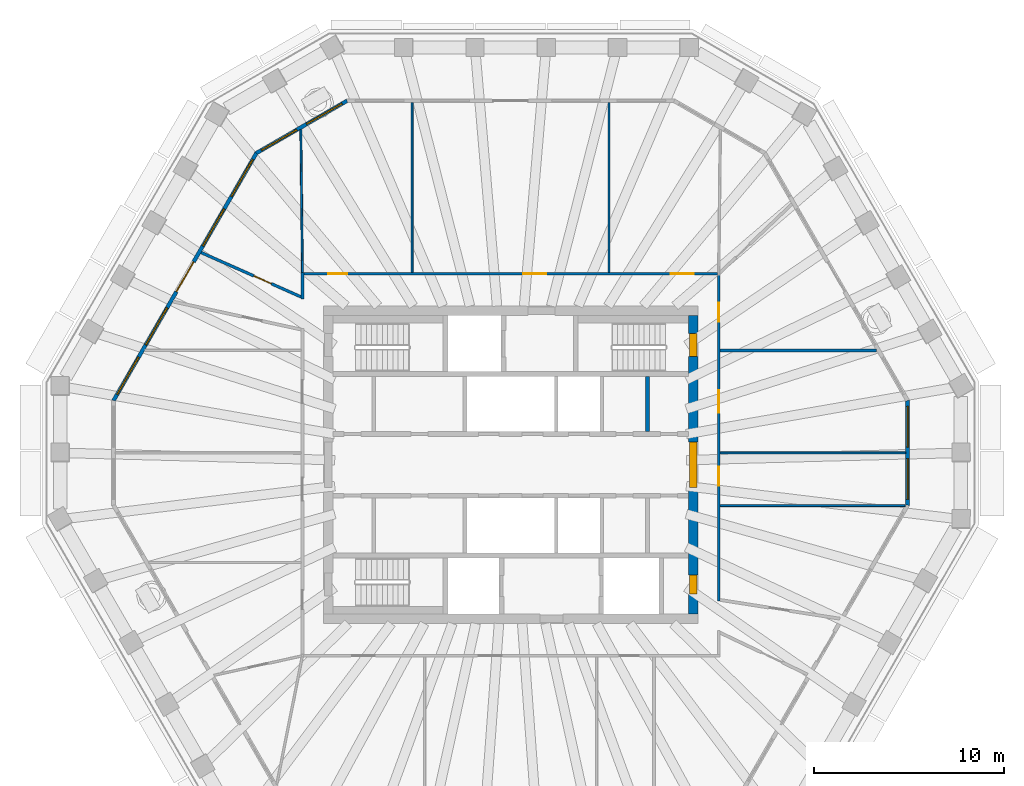
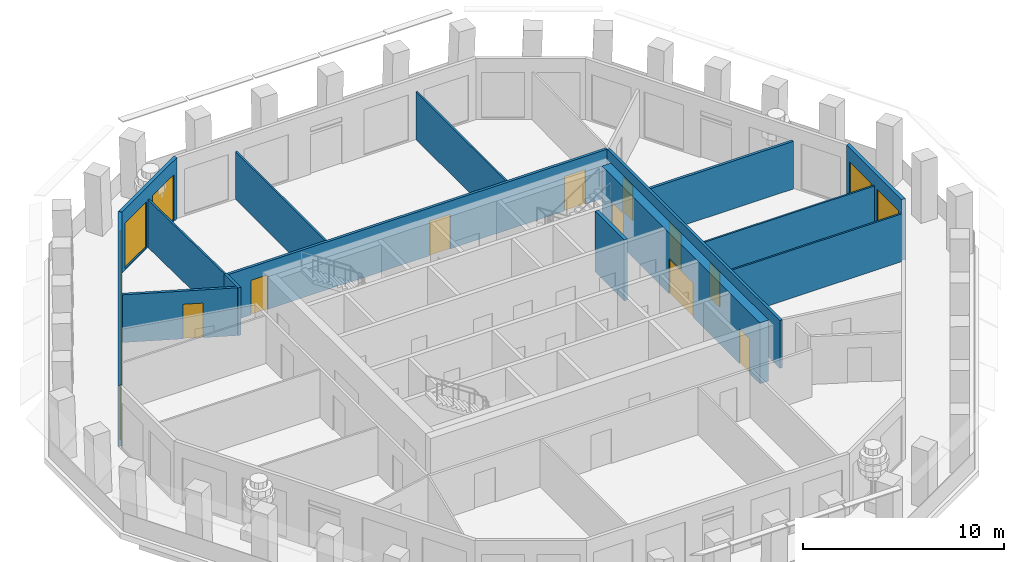
# One storey, part 6 of 11: 15 walls, 11 doors, 9 windows, 20 openings.
"""IFC4 building model written with IfcOpenShell, lengths in metres."""

import ifcopenshell
import ifcopenshell.guid

model = None  # the IFC model being written
_history = None  # IfcOwnerHistory: only IFC2X3 demands one
_inside = {}  # id of a spatial element -> (the spatial element, [elements in it])
_under = {}  # id of a project, library or spatial element -> (it, [spatial elements below it])
_declared = {}  # id of a project -> (the project, [libraries it declares])
_typed = {}  # id of a type object -> (the type object, [elements of that type])
_made_of = {}  # id of a material, layer set ... -> (it, [elements and type objects made of it])


def new_model(schema):
    """Start an empty IFC model of exactly this schema.

    Asked for "IFC4X3", IfcOpenShell would pick the latest addendum, in which some entities
    have other attributes; the version numbers below select the first issue.
    IFC2X3 requires an IfcOwnerHistory on every rooted entity: one is made here for all.
    """
    global model, _history
    if schema == "IFC4X3":
        model = ifcopenshell.file(schema_version=(4, 3, 0, 0))
    else:
        model = ifcopenshell.file(schema=schema)
    _inside.clear()
    _under.clear()
    _declared.clear()
    _typed.clear()
    _made_of.clear()
    _history = None
    if model.schema == "IFC2X3":
        org = make("IfcOrganization", Name="unknown")
        user = make(
            "IfcPersonAndOrganization",
            ThePerson=make("IfcPerson", FamilyName="unknown"),
            TheOrganization=org,
        )
        app = make(
            "IfcApplication",
            ApplicationDeveloper=org,
            Version="unknown",
            ApplicationFullName="unknown",
            ApplicationIdentifier="unknown",
        )
        _history = make(
            "IfcOwnerHistory",
            OwningUser=user,
            OwningApplication=app,
            ChangeAction="ADDED",
            CreationDate=0,
        )
    return model


def make(cls, **values):
    """One entity of the class cls with the attributes given. An attribute that is None is left unset."""
    return model.create_entity(
        cls, **{name: value for name, value in values.items() if value is not None}
    )


def rooted(cls, **values):
    """An entity with a GlobalId (a new one), such as an element, a storey or a relation."""
    return make(cls, GlobalId=ifcopenshell.guid.new(), OwnerHistory=_history, **values)


def si_unit(unit_type, name, prefix=None):
    """IfcSIUnit, for example si_unit("LENGTHUNIT", "METRE", prefix="MILLI")."""
    return make("IfcSIUnit", UnitType=unit_type, Prefix=prefix, Name=name)


def assignment(units):
    """IfcUnitAssignment: the units of a project."""
    return None if units is None else make("IfcUnitAssignment", Units=units)


def point(xyz):
    """IfcCartesianPoint."""
    return None if xyz is None else make("IfcCartesianPoint", Coordinates=xyz)


def direction(xyz):
    """IfcDirection."""
    return None if xyz is None else make("IfcDirection", DirectionRatios=xyz)


def frame(location, z_axis=None, x_axis=None):
    """IfcAxis2Placement3D, a coordinate frame: its origin and axes. An axis left out is left unset."""
    return make(
        "IfcAxis2Placement3D",
        Location=point(location),
        Axis=direction(z_axis),
        RefDirection=direction(x_axis),
    )


def frame_2d(location, x_axis=None):
    """IfcAxis2Placement2D, a coordinate frame in the plane: its origin and x axis."""
    return make(
        "IfcAxis2Placement2D", Location=point(location), RefDirection=direction(x_axis)
    )


def origin():
    """The frame at (0, 0, 0) with its axes left unset."""
    return frame((0.0, 0.0, 0.0))


def place(relative_to, where):
    """IfcLocalPlacement: puts the frame where relative to a parent placement (None: the world)."""
    return make(
        "IfcLocalPlacement", PlacementRelTo=relative_to, RelativePlacement=where
    )


def context(
    kind, dimensions, precision=None, world=None, true_north=None, identifier=None
):
    """IfcGeometricRepresentationContext, for example the 3D "Model" context."""
    return make(
        "IfcGeometricRepresentationContext",
        ContextIdentifier=identifier,
        ContextType=kind,
        CoordinateSpaceDimension=dimensions,
        Precision=precision,
        WorldCoordinateSystem=world,
        TrueNorth=true_north,
    )


def subcontext(parent, identifier, kind, view, scale=None):
    """IfcGeometricRepresentationSubContext, for example "Body" below "Model"."""
    return make(
        "IfcGeometricRepresentationSubContext",
        ContextIdentifier=identifier,
        ContextType=kind,
        ParentContext=parent,
        TargetScale=scale,
        TargetView=view,
    )


def project(units=None, contexts=None):
    """IfcProject with its units and contexts."""
    return rooted(
        "IfcProject",
        Name="project",
        RepresentationContexts=contexts,
        UnitsInContext=assignment(units),
    )


def spatial(cls, under=None, at=None, **own):
    """A site, building, storey or space (cls), placed at a placement, below another one or the project."""
    s = rooted(cls, ObjectPlacement=at, **own)
    if under is not None:
        _under.setdefault(under.id(), (under, []))[1].append(s)
    return s


def polyline(points):
    """IfcPolyline through the points."""
    return make("IfcPolyline", Points=[point(p) for p in points])


def profile(cls, at=None, kind="AREA", **sizes):
    """A parametric profile (cls). Its sizes go by their IFC names, for example OverallWidth=200.0."""
    return make(cls, ProfileType=kind, Position=at, **sizes)


def rectangle(**sizes):
    """IfcRectangleProfileDef."""
    return profile("IfcRectangleProfileDef", **sizes)


def outline(outer, holes=None, kind="AREA"):
    """IfcArbitraryClosedProfileDef: a profile drawn as a closed curve; with holes, ...WithVoids."""
    if holes is None:
        return make("IfcArbitraryClosedProfileDef", ProfileType=kind, OuterCurve=outer)
    return make(
        "IfcArbitraryProfileDefWithVoids",
        ProfileType=kind,
        OuterCurve=outer,
        InnerCurves=holes,
    )


def extrude(swept, where, along, depth):
    """IfcExtrudedAreaSolid: the profile swept, set in the frame where, extruded along a direction by depth."""
    return make(
        "IfcExtrudedAreaSolid",
        SweptArea=swept,
        Position=where,
        ExtrudedDirection=direction(along),
        Depth=depth,
    )


def shape(context_of_items, identifier, shape_type, items):
    """IfcShapeRepresentation: the items that make up one representation, for example the "Body"."""
    return make(
        "IfcShapeRepresentation",
        ContextOfItems=context_of_items,
        RepresentationIdentifier=identifier,
        RepresentationType=shape_type,
        Items=items,
    )


def material(Name=None, Category=None):
    """IfcMaterial."""
    return make("IfcMaterial", Name=Name, Category=Category)


def layer(
    of_material, thickness, ventilated=None, Name=None, Category=None, Priority=None
):
    """IfcMaterialLayer: one layer of a wall or slab, of a material (None: an air gap)."""
    return make(
        "IfcMaterialLayer",
        Material=of_material,
        LayerThickness=thickness,
        IsVentilated=ventilated,
        Name=Name,
        Category=Category,
        Priority=Priority,
    )


def layer_set(layers, Name=None):
    """IfcMaterialLayerSet."""
    return make("IfcMaterialLayerSet", MaterialLayers=layers, LayerSetName=Name)


def made_of(thing, what):
    """Note that an element or type object is made of a material, layer set ...; save() writes the relation."""
    if what is not None:
        _made_of.setdefault(what.id(), (what, []))[1].append(thing)
    return thing


def type_object(cls, material=None, **own):
    """A type object (cls), such as IfcWallType, which elements share."""
    return made_of(rooted(cls, **own), material)


def element(
    cls,
    number,
    at=None,
    inside=None,
    cuts=None,
    type_object=None,
    material=None,
    context=None,
    identifier="Body",
    shape_type=None,
    held_by="IfcProductDefinitionShape",
    body=None,
    shapes=None,
    **own,
):
    """One element of the class cls, such as IfcWall. Its Tag is "e" and its number.

    at: its placement. inside: the storey or other place that contains it. cuts: it is an
    opening in that element (IfcRelVoidsElement). A single representation is given by context,
    identifier, shape_type and body (its items); several are given by shapes. held_by: the class
    of the entity that holds the representations. save() writes the other relations.
    """
    e = rooted(cls, Tag="e%d" % number, ObjectPlacement=at, **own)
    if body is not None:
        shapes = [shape(context, identifier, shape_type, body)]
    if shapes is not None:
        e.Representation = make(held_by, Representations=shapes)
    if inside is not None:
        _inside.setdefault(inside.id(), (inside, []))[1].append(e)
    if cuts is not None:
        rooted(
            "IfcRelVoidsElement", RelatingBuildingElement=cuts, RelatedOpeningElement=e
        )
    if type_object is not None:
        _typed.setdefault(type_object.id(), (type_object, []))[1].append(e)
    return made_of(e, material)


def fill(opening, filler):
    """IfcRelFillsElement: the door or window that sits in an opening."""
    return rooted(
        "IfcRelFillsElement",
        RelatingOpeningElement=opening,
        RelatedBuildingElement=filler,
    )


def aggregate(whole, parts):
    """IfcRelAggregates: a whole, such as a stair, and the parts it consists of."""
    return rooted("IfcRelAggregates", RelatingObject=whole, RelatedObjects=parts)


def save(model, path):
    """Write the relations noted so far, then the file.

    IfcRelAggregates (storeys below a building ...), IfcRelContainedInSpatialStructure (elements
    in a storey), IfcRelDefinesByType, IfcRelAssociatesMaterial and IfcRelDeclares: one each for
    every whole, place, type object, material and project.
    """
    for whole, parts in _under.values():
        aggregate(whole, parts)
    for where, things in _inside.values():
        rooted(
            "IfcRelContainedInSpatialStructure",
            RelatedElements=things,
            RelatingStructure=where,
        )
    for kind, things in _typed.values():
        rooted("IfcRelDefinesByType", RelatedObjects=things, RelatingType=kind)
    for what, things in _made_of.values():
        rooted("IfcRelAssociatesMaterial", RelatedObjects=things, RelatingMaterial=what)
    for by, libraries in _declared.values():
        rooted("IfcRelDeclares", RelatingContext=by, RelatedDefinitions=libraries)
    model.write(path)


model = new_model("IFC4")

# Units and contexts
model_context = context("Model", 3, precision=1e-05, world=origin(), true_north=direction((0.0, 1.0)))
body_context = subcontext(model_context, "Body", "Model", "MODEL_VIEW")
ifc_project = project(units=[si_unit("LENGTHUNIT", "METRE"), si_unit("AREAUNIT", "SQUARE_METRE"), si_unit("VOLUMEUNIT", "CUBIC_METRE"), si_unit("PLANEANGLEUNIT", "RADIAN"), si_unit("MASSUNIT", "GRAM", prefix="KILO")], contexts=[model_context])

# Site, building, storey
site_placement = place(None, origin())
site = spatial("IfcSite", under=ifc_project, at=site_placement, CompositionType="ELEMENT")
building_placement = place(site_placement, origin())
building = spatial("IfcBuilding", under=site, at=building_placement, Name="Frailejon Research Tower", CompositionType="ELEMENT")
storey_placement = place(building_placement, frame((0.0, 0.0, 283.0)))
storey = spatial("IfcBuildingStorey", under=building, at=storey_placement, Name="L62", CompositionType="ELEMENT", Elevation=283.0)

# Wall, openings, doors
ifc_material_1 = material(Name="Concrete C50/60", Category="concrete")
ifc_layer_1 = layer(ifc_material_1, 0.5)
ifc_layer_set_1 = layer_set([ifc_layer_1], Name="Core shear wall 500 C50/60")
wall_type_1 = type_object("IfcWallType", Name="Core shear wall 500 C50/60", PredefinedType="SHEAR", material=ifc_layer_set_1)
wall_1_placement = place(storey_placement, frame((9.60009765625, -7.85009765625, 0.0), z_axis=(0.0, 0.0, 1.0), x_axis=(0.0, 1.0, 0.0)))
wall_1 = element("IfcWall", 1, at=wall_1_placement, inside=storey, type_object=wall_type_1, Name="Core shear wall", PredefinedType="SHEAR", context=body_context, shape_type="SweptSolid", body=[
    extrude(rectangle(XDim=15.7001953125, YDim=0.5, at=frame_2d((7.85009765625, 0.0))), origin(), (0.0, 0.0, 1.0), 3.699951171875),
])
opening_1_placement = place(wall_1_placement, frame((6.64990234375, 0.0, 0.0)))
opening_1 = element("IfcOpeningElement", 2, at=opening_1_placement, cuts=wall_1, Name="Opening D2", PredefinedType="OPENING", context=body_context, shape_type="SweptSolid", body=[
    extrude(rectangle(XDim=2.39990234375, YDim=2.10009765625, at=frame_2d((1.199951171875, 1.050048828125))), frame((0.0, 0.260009765625, 0.0), z_axis=(0.0, -1.0, 0.0), x_axis=(1.0, 0.0, 0.0)), (0.0, 0.0, 1.0), 0.52001953125),
])
opening_2_placement = place(wall_1_placement, frame((13.550048828125, 0.0, 0.0)))
opening_2 = element("IfcOpeningElement", 3, at=opening_2_placement, cuts=wall_1, Name="Opening D1", PredefinedType="OPENING", context=body_context, shape_type="SweptSolid", body=[
    extrude(rectangle(XDim=1.199951171875, YDim=2.10009765625, at=frame_2d((0.60009765625, 1.050048828125))), frame((0.0, 0.260009765625, 0.0), z_axis=(0.0, -1.0, 0.0), x_axis=(1.0, 0.0, 0.0)), (0.0, 0.0, 1.0), 0.52001953125),
])
opening_3_placement = place(wall_1_placement, frame((1.050048828125, 0.0, 0.0)))
opening_3 = element("IfcOpeningElement", 4, at=opening_3_placement, cuts=wall_1, Name="Opening D4", PredefinedType="OPENING", context=body_context, shape_type="SweptSolid", body=[
    extrude(rectangle(XDim=1.0, YDim=2.10009765625, at=frame_2d((0.5, 1.050048828125))), frame((0.0, 0.260009765625, 0.0), z_axis=(0.0, -1.0, 0.0), x_axis=(1.0, 0.0, 0.0)), (0.0, 0.0, 1.0), 0.52001953125),
])
ifc_material_2 = material(Name="Steel", Category="steel")
door_type_1 = type_object("IfcDoorType", Name="Lobby double door", OperationType="DOUBLE_DOOR_SINGLE_SWING", PredefinedType="DOOR", material=ifc_material_2)
door_1_placement = place(opening_1_placement, origin())
door_1 = element("IfcDoor", 5, at=door_1_placement, inside=storey, type_object=door_type_1, Name="Lobby door", OperationType="DOUBLE_DOOR_SINGLE_SWING", OverallHeight=2.10009765625, OverallWidth=2.39990234375, PredefinedType="DOOR", context=body_context, shape_type="SweptSolid", body=[
    extrude(rectangle(XDim=2.39990234375, YDim=2.10009765625, at=frame_2d((1.199951171875, 1.050048828125))), frame((0.0, 0.199951171875, 0.0), z_axis=(0.0, -1.0, 0.0), x_axis=(1.0, 0.0, 0.0)), (0.0, 0.0, 1.0), 0.39990234375),
])
fill(opening_1, door_1)
ifc_material_3 = material(Name="Steel", Category="steel")
door_type_2 = type_object("IfcDoorType", Name="Service door", OperationType="SINGLE_SWING_LEFT", PredefinedType="DOOR", material=ifc_material_3)
door_2_placement = place(opening_3_placement, origin())
door_2 = element("IfcDoor", 6, at=door_2_placement, inside=storey, type_object=door_type_2, Name="Riser door", OperationType="SINGLE_SWING_LEFT", OverallHeight=2.10009765625, OverallWidth=1.0, PredefinedType="DOOR", context=body_context, shape_type="SweptSolid", body=[
    extrude(rectangle(XDim=1.0, YDim=2.10009765625, at=frame_2d((0.5, 1.050048828125))), frame((0.0, 0.199951171875, 0.0), z_axis=(0.0, -1.0, 0.0), x_axis=(1.0, 0.0, 0.0)), (0.0, 0.0, 1.0), 0.39990234375),
])
fill(opening_3, door_2)
ifc_material_4 = material(Name="Steel", Category="steel")
door_type_3 = type_object("IfcDoorType", Name="Stair door", OperationType="SINGLE_SWING_LEFT", PredefinedType="DOOR", material=ifc_material_4)
door_3_placement = place(opening_2_placement, origin())
door_3 = element("IfcDoor", 7, at=door_3_placement, inside=storey, type_object=door_type_3, Name="Stair door ST3", OperationType="SINGLE_SWING_RIGHT", OverallHeight=2.10009765625, OverallWidth=1.199951171875, PredefinedType="DOOR", context=body_context, shape_type="SweptSolid", body=[
    extrude(rectangle(XDim=1.199951171875, YDim=2.10009765625, at=frame_2d((0.60009765625, 1.050048828125))), frame((0.0, 0.199951171875, 0.0), z_axis=(0.0, -1.0, 0.0), x_axis=(1.0, 0.0, 0.0)), (0.0, 0.0, 1.0), 0.39990234375),
])
fill(opening_2, door_3)

# Wall, opening, door
ifc_material_5 = material(Name="Gypsum board and masonry partition", Category="masonry")
ifc_layer_2 = layer(ifc_material_5, 0.14990234375)
ifc_layer_set_2 = layer_set([ifc_layer_2], Name="Corridor wall EI 60, gypsum on steel studs 150")
wall_type_2 = type_object("IfcWallType", Name="Corridor wall EI 60, gypsum on steel studs 150", PredefinedType="PARTITIONING", material=ifc_layer_set_2)
wall_2_placement = place(storey_placement, frame((-16.277099609375, 11.1640625, 0.0), z_axis=(0.0, 0.0, 1.0), x_axis=(0.914030158625, -0.405646236422, 0.0)))
wall_2 = element("IfcWall", 8, at=wall_2_placement, inside=storey, type_object=wall_type_2, Name="T:IW:L62:001", PredefinedType="PARTITIONING", context=body_context, shape_type="SweptSolid", body=[
    extrude(rectangle(XDim=5.753173828125, YDim=0.14990234375, at=frame_2d((2.87646484375, 0.0))), origin(), (0.0, 0.0, 1.0), 2.89990234375),
])
opening_4_placement = place(wall_2_placement, frame((3.033203125, 0.0, 0.0)))
opening_4 = element("IfcOpeningElement", 9, at=opening_4_placement, cuts=wall_2, Name="Opening D2193", PredefinedType="OPENING", context=body_context, shape_type="SweptSolid", body=[
    extrude(rectangle(XDim=1.0, YDim=2.10009765625, at=frame_2d((0.5, 1.050048828125))), frame((0.0, 0.0849609375, 0.0), z_axis=(0.0, -1.0, 0.0), x_axis=(1.0, 0.0, 0.0)), (0.0, 0.0, 1.0), 0.169921875),
])
ifc_material_6 = material(Name="Timber door leaf", Category="wood")
door_type_4 = type_object("IfcDoorType", Name="Door single leaf, timber, steel frame 1000", OperationType="NOTDEFINED", PredefinedType="DOOR", material=ifc_material_6)
door_4_placement = place(opening_4_placement, origin())
door_4 = element("IfcDoor", 10, at=door_4_placement, inside=storey, type_object=door_type_4, Name="D2193", OperationType="SINGLE_SWING_RIGHT", OverallHeight=2.10009765625, OverallWidth=1.0, PredefinedType="DOOR", context=body_context, shape_type="SweptSolid", body=[
    extrude(rectangle(XDim=1.0, YDim=2.10009765625, at=frame_2d((0.5, 1.050048828125))), frame((0.0, 0.02490234375, 0.0), z_axis=(0.0, -1.0, 0.0), x_axis=(1.0, 0.0, 0.0)), (0.0, 0.0, 1.0), 0.050048828125),
])
fill(opening_4, door_4)

# Wall, openings, doors
wall_3_placement = place(storey_placement, frame((10.949951171875, -7.175048828125, 0.0), z_axis=(0.0, 0.0, 1.0), x_axis=(0.0, 1.0, 0.0)))
wall_3 = element("IfcWall", 11, at=wall_3_placement, inside=storey, type_object=wall_type_2, Name="T:IW:L62:006", PredefinedType="PARTITIONING", context=body_context, shape_type="SweptSolid", body=[
    extrude(rectangle(XDim=17.150146484375, YDim=0.14990234375, at=frame_2d((8.5751953125, 0.0))), origin(), (0.0, 0.0, 1.0), 2.89990234375),
])
opening_5_placement = place(wall_3_placement, frame((9.899169921875, 0.0, 0.0)))
opening_5 = element("IfcOpeningElement", 12, at=opening_5_placement, cuts=wall_3, Name="Opening D2187", PredefinedType="OPENING", context=body_context, shape_type="SweptSolid", body=[
    extrude(rectangle(XDim=1.199951171875, YDim=2.10009765625, at=frame_2d((0.60009765625, 1.050048828125))), frame((0.0, 0.0849609375, 0.0), z_axis=(0.0, -1.0, 0.0), x_axis=(1.0, 0.0, 0.0)), (0.0, 0.0, 1.0), 0.169921875),
])
opening_6_placement = place(wall_3_placement, frame((14.7099609375, 0.0, 0.0)))
opening_6 = element("IfcOpeningElement", 13, at=opening_6_placement, cuts=wall_3, Name="Opening D2188", PredefinedType="OPENING", context=body_context, shape_type="SweptSolid", body=[
    extrude(rectangle(XDim=1.0, YDim=2.10009765625, at=frame_2d((0.5, 1.050048828125))), frame((0.0, 0.0849609375, 0.0), z_axis=(0.0, -1.0, 0.0), x_axis=(1.0, 0.0, 0.0)), (0.0, 0.0, 1.0), 0.169921875),
])
opening_7_placement = place(wall_3_placement, frame((6.076171875, 0.0, 0.0)))
opening_7 = element("IfcOpeningElement", 14, at=opening_7_placement, cuts=wall_3, Name="Opening D2204", PredefinedType="OPENING", context=body_context, shape_type="SweptSolid", body=[
    extrude(rectangle(XDim=1.0, YDim=2.10009765625, at=frame_2d((0.5, 1.050048828125))), frame((0.0, 0.0849609375, 0.0), z_axis=(0.0, -1.0, 0.0), x_axis=(1.0, 0.0, 0.0)), (0.0, 0.0, 1.0), 0.169921875),
])
ifc_material_7 = material(Name="Timber door leaf", Category="wood")
door_type_5 = type_object("IfcDoorType", Name="Door laboratory, timber, vision panel 1000", OperationType="NOTDEFINED", PredefinedType="DOOR", material=ifc_material_7)
door_5_placement = place(opening_6_placement, origin())
door_5 = element("IfcDoor", 15, at=door_5_placement, inside=storey, type_object=door_type_5, Name="D2188", OperationType="SINGLE_SWING_LEFT", OverallHeight=2.10009765625, OverallWidth=1.0, PredefinedType="DOOR", context=body_context, shape_type="SweptSolid", body=[
    extrude(rectangle(XDim=1.0, YDim=2.10009765625, at=frame_2d((0.5, 1.050048828125))), frame((0.0, 0.02490234375, 0.0), z_axis=(0.0, -1.0, 0.0), x_axis=(1.0, 0.0, 0.0)), (0.0, 0.0, 1.0), 0.050048828125),
])
fill(opening_6, door_5)
door_6_placement = place(opening_7_placement, origin())
door_6 = element("IfcDoor", 16, at=door_6_placement, inside=storey, type_object=door_type_4, Name="D2204", OperationType="SINGLE_SWING_RIGHT", OverallHeight=2.10009765625, OverallWidth=1.0, PredefinedType="DOOR", context=body_context, shape_type="SweptSolid", body=[
    extrude(rectangle(XDim=1.0, YDim=2.10009765625, at=frame_2d((0.5, 1.050048828125))), frame((0.0, 0.02490234375, 0.0), z_axis=(0.0, -1.0, 0.0), x_axis=(1.0, 0.0, 0.0)), (0.0, 0.0, 1.0), 0.050048828125),
])
fill(opening_7, door_6)
ifc_material_8 = material(Name="Timber door leaf", Category="wood")
door_type_6 = type_object("IfcDoorType", Name="Door single leaf, timber, steel frame 1200", OperationType="NOTDEFINED", PredefinedType="DOOR", material=ifc_material_8)
door_7_placement = place(opening_5_placement, origin())
door_7 = element("IfcDoor", 17, at=door_7_placement, inside=storey, type_object=door_type_6, Name="D2187", OperationType="DOUBLE_DOOR_SINGLE_SWING", OverallHeight=2.10009765625, OverallWidth=1.199951171875, PredefinedType="DOOR", context=body_context, shape_type="SweptSolid", body=[
    extrude(rectangle(XDim=1.199951171875, YDim=2.10009765625, at=frame_2d((0.60009765625, 1.050048828125))), frame((0.0, 0.02490234375, 0.0), z_axis=(0.0, -1.0, 0.0), x_axis=(1.0, 0.0, 0.0)), (0.0, 0.0, 1.0), 0.050048828125),
])
fill(opening_5, door_7)

wall_4_placement = place(storey_placement, frame((-10.875, 10.050048828125, 0.0), z_axis=(0.0, 0.0, 1.0), x_axis=(1.0, 0.0, 0.0)))
wall_4 = element("IfcWall", 18, at=wall_4_placement, inside=storey, type_object=wall_type_2, Name="T:IW:L62:007", PredefinedType="PARTITIONING", context=body_context, shape_type="SweptSolid", body=[
    extrude(rectangle(XDim=21.75, YDim=0.14990234375, at=frame_2d((10.875, 0.0))), origin(), (0.0, 0.0, 1.0), 2.89990234375),
])
opening_8_placement = place(wall_4_placement, frame((19.30712890625, 0.0, 0.0)))
opening_8 = element("IfcOpeningElement", 19, at=opening_8_placement, cuts=wall_4, Name="Opening D2190", PredefinedType="OPENING", context=body_context, shape_type="SweptSolid", body=[
    extrude(rectangle(XDim=1.199951171875, YDim=2.10009765625, at=frame_2d((0.60009765625, 1.050048828125))), frame((0.0, 0.0849609375, 0.0), z_axis=(0.0, -1.0, 0.0), x_axis=(1.0, 0.0, 0.0)), (0.0, 0.0, 1.0), 0.169921875),
])
opening_9_placement = place(wall_4_placement, frame((11.543701171875, 0.0, 0.0)))
opening_9 = element("IfcOpeningElement", 20, at=opening_9_placement, cuts=wall_4, Name="Opening D2191", PredefinedType="OPENING", context=body_context, shape_type="SweptSolid", body=[
    extrude(rectangle(XDim=1.199951171875, YDim=2.10009765625, at=frame_2d((0.60009765625, 1.050048828125))), frame((0.0, 0.0849609375, 0.0), z_axis=(0.0, -1.0, 0.0), x_axis=(1.0, 0.0, 0.0)), (0.0, 0.0, 1.0), 0.169921875),
])
opening_10_placement = place(wall_4_placement, frame((1.292724609375, 0.0, 0.0)))
opening_10 = element("IfcOpeningElement", 21, at=opening_10_placement, cuts=wall_4, Name="Opening D2192", PredefinedType="OPENING", context=body_context, shape_type="SweptSolid", body=[
    extrude(rectangle(XDim=1.0, YDim=2.10009765625, at=frame_2d((0.5, 1.050048828125))), frame((0.0, 0.0849609375, 0.0), z_axis=(0.0, -1.0, 0.0), x_axis=(1.0, 0.0, 0.0)), (0.0, 0.0, 1.0), 0.169921875),
])
door_8_placement = place(opening_10_placement, origin())
door_8 = element("IfcDoor", 22, at=door_8_placement, inside=storey, type_object=door_type_4, Name="D2192", OperationType="SINGLE_SWING_LEFT", OverallHeight=2.10009765625, OverallWidth=1.0, PredefinedType="DOOR", context=body_context, shape_type="SweptSolid", body=[
    extrude(rectangle(XDim=1.0, YDim=2.10009765625, at=frame_2d((0.5, 1.050048828125))), frame((0.0, 0.02490234375, 0.0), z_axis=(0.0, -1.0, 0.0), x_axis=(1.0, 0.0, 0.0)), (0.0, 0.0, 1.0), 0.050048828125),
])
fill(opening_10, door_8)
door_9_placement = place(opening_8_placement, origin())
door_9 = element("IfcDoor", 23, at=door_9_placement, inside=storey, type_object=door_type_6, Name="D2190", OperationType="DOUBLE_DOOR_SINGLE_SWING", OverallHeight=2.10009765625, OverallWidth=1.199951171875, PredefinedType="DOOR", context=body_context, shape_type="SweptSolid", body=[
    extrude(rectangle(XDim=1.199951171875, YDim=2.10009765625, at=frame_2d((0.60009765625, 1.050048828125))), frame((0.0, 0.02490234375, 0.0), z_axis=(0.0, -1.0, 0.0), x_axis=(1.0, 0.0, 0.0)), (0.0, 0.0, 1.0), 0.050048828125),
])
fill(opening_8, door_9)
door_10_placement = place(opening_9_placement, origin())
door_10 = element("IfcDoor", 24, at=door_10_placement, inside=storey, type_object=door_type_6, Name="D2191", OperationType="DOUBLE_DOOR_SINGLE_SWING", OverallHeight=2.10009765625, OverallWidth=1.199951171875, PredefinedType="DOOR", context=body_context, shape_type="SweptSolid", body=[
    extrude(rectangle(XDim=1.199951171875, YDim=2.10009765625, at=frame_2d((0.60009765625, 1.050048828125))), frame((0.0, 0.02490234375, 0.0), z_axis=(0.0, -1.0, 0.0), x_axis=(1.0, 0.0, 0.0)), (0.0, 0.0, 1.0), 0.050048828125),
])
fill(opening_9, door_10)

# Walls
wall_5_placement = place(storey_placement, frame((-10.949951171875, 8.72509765625, 0.0), z_axis=(0.0, 0.0, 1.0), x_axis=(0.0, 1.0, 0.0)))
element("IfcWall", 25, at=wall_5_placement, inside=storey, type_object=wall_type_2, Name="T:IW:L62:009", PredefinedType="PARTITIONING", context=body_context, shape_type="SweptSolid", body=[
    extrude(rectangle(XDim=1.39990234375, YDim=0.14990234375, at=frame_2d((0.699951171875, 0.0))), origin(), (0.0, 0.0, 1.0), 2.89990234375),
])
ifc_material_9 = material(Name="Gypsum board and masonry partition", Category="masonry")
ifc_layer_3 = layer(ifc_material_9, 0.14990234375)
ifc_layer_set_3 = layer_set([ifc_layer_3], Name="Laboratory partition, blockwork 150")
wall_type_3 = type_object("IfcWallType", Name="Laboratory partition, blockwork 150", PredefinedType="PARTITIONING", material=ifc_layer_set_3)
wall_6_placement = place(storey_placement, frame((11.02490234375, 6.02001953125, 0.0), z_axis=(0.0, 0.0, 1.0), x_axis=(1.0, 0.0, 0.0)))
element("IfcWall", 26, at=wall_6_placement, inside=storey, type_object=wall_type_3, Name="T:IW:L62:011", PredefinedType="PARTITIONING", context=body_context, shape_type="SweptSolid", body=[
    extrude(rectangle(XDim=8.222412109375, YDim=0.14990234375, at=frame_2d((4.111328125, 0.0))), origin(), (0.0, 0.0, 1.0), 2.89990234375),
])
ifc_material_10 = material(Name="Gypsum board and masonry partition", Category="masonry")
ifc_layer_4 = layer(ifc_material_10, 0.10009765625)
ifc_layer_set_4 = layer_set([ifc_layer_4], Name="Partition, gypsum on steel studs 100")
wall_type_4 = type_object("IfcWallType", Name="Partition, gypsum on steel studs 100", PredefinedType="PARTITIONING", material=ifc_layer_set_4)
wall_7_placement = place(storey_placement, frame((11.02490234375, 0.62841796875, 0.0), z_axis=(0.0, 0.0, 1.0), x_axis=(1.0, 0.0, 0.0)))
element("IfcWall", 27, at=wall_7_placement, inside=storey, type_object=wall_type_4, Name="T:IW:L62:015", PredefinedType="PARTITIONING", context=body_context, shape_type="SweptSolid", body=[
    extrude(rectangle(XDim=9.76171875, YDim=0.10009765625, at=frame_2d((4.880859375, 0.0))), origin(), (0.0, 0.0, 1.0), 2.89990234375),
])
for number, where, z_axis, x_axis, name in (
    (28, (5.178955078125, 10.125, 0.0), (0.0, 0.0, 1.0), (0.0, 1.0, 0.0), "T:IW:L62:017"),
    (29, (-5.178955078125, 10.125, 0.0), (0.0, 0.0, 1.0), (0.0, 1.0, 0.0), "T:IW:L62:018"),
):
    element("IfcWall", number, at=place(storey_placement, frame(where, z_axis=z_axis, x_axis=x_axis)), inside=storey, type_object=wall_type_4, Name=name, PredefinedType="PARTITIONING", context=body_context, shape_type="SweptSolid", body=[
        extrude(rectangle(XDim=8.925048828125, YDim=0.10009765625, at=frame_2d((4.46240234375, 0.0))), origin(), (0.0, 0.0, 1.0), 2.89990234375),
    ])
wall_8_placement = place(storey_placement, frame((-11.03515625, 17.63134765625, 0.0), z_axis=(0.0, 0.0, 1.0), x_axis=(0.011223782781, -0.999937011366, 0.0)))
element("IfcWall", 30, at=wall_8_placement, inside=storey, type_object=wall_type_4, Name="T:IW:L62:019", PredefinedType="PARTITIONING", context=body_context, shape_type="SweptSolid", body=[
    extrude(rectangle(XDim=7.65673828125, YDim=0.10009765625, at=frame_2d((3.828369140625, 0.0))), origin(), (0.0, 0.0, 1.0), 2.89990234375),
])
wall_9_placement = place(storey_placement, frame((11.02490234375, -2.14990234375, 0.0), z_axis=(0.0, 0.0, 1.0), x_axis=(1.0, 0.0, 0.0)))
element("IfcWall", 31, at=wall_9_placement, inside=storey, type_object=wall_type_4, Name="T:IW:L62:026", PredefinedType="PARTITIONING", context=body_context, shape_type="SweptSolid", body=[
    extrude(rectangle(XDim=9.73095703125, YDim=0.10009765625, at=frame_2d((4.865478515625, 0.0))), origin(), (0.0, 0.0, 1.0), 2.89990234375),
])
ifc_material_11 = material(Name="Concrete C50/60", Category="concrete")
ifc_layer_5 = layer(ifc_material_11, 0.199951171875)
ifc_layer_set_5 = layer_set([ifc_layer_5], Name="Shaft wall 200 C50/60")
wall_type_5 = type_object("IfcWallType", Name="Shaft wall 200 C50/60", PredefinedType="SOLIDWALL", material=ifc_layer_set_5)
wall_10_placement = place(storey_placement, frame((7.199951171875, 1.75, 0.0), z_axis=(0.0, 0.0, 1.0), x_axis=(0.0, 1.0, 0.0)))
element("IfcWall", 32, at=wall_10_placement, inside=storey, type_object=wall_type_5, Name="Shaft wall", PredefinedType="SOLIDWALL", context=body_context, shape_type="SweptSolid", body=[
    extrude(rectangle(XDim=2.89990234375, YDim=0.199951171875, at=frame_2d((1.449951171875, 0.0))), origin(), (0.0, 0.0, 1.0), 3.699951171875),
])

# Wall, openings, windows
ifc_material_12 = material(Name="Concrete C40/50 precast window wall panel", Category="concrete")
ifc_layer_6 = layer(ifc_material_12, 0.199951171875)
ifc_layer_set_6 = layer_set([ifc_layer_6], Name="Window wall 200")
wall_type_6 = type_object("IfcWallType", Name="Window wall 200", PredefinedType="SOLIDWALL", material=ifc_layer_set_6)
wall_11_placement = place(storey_placement, frame((20.88671875, -2.123291015625, 0.0), z_axis=(0.0, 0.0, 1.0), x_axis=(0.0, 1.0, 0.0)))
wall_11 = element("IfcWall", 33, at=wall_11_placement, inside=storey, type_object=wall_type_6, Name="Exterior wall L62", PredefinedType="SOLIDWALL", context=body_context, shape_type="SweptSolid", body=[
    extrude(outline(polyline([(-0.02685546875, -0.10009765625), (1.08447265625, -0.10009765625), (2.196044921875, -0.10009765625), (3.307373046875, -0.10009765625), (4.4189453125, -0.10009765625), (5.5302734375, -0.10009765625), (5.4765625, 0.10009765625), (4.38671875, 0.10009765625), (3.296630859375, 0.10009765625), (2.206787109375, 0.10009765625), (1.11669921875, 0.10009765625), (0.02685546875, 0.10009765625), (-0.02685546875, -0.10009765625)])), origin(), (0.0, 0.0, 1.0), 3.699951171875),
])
opening_11_placement = place(wall_11_placement, frame((0.30078125, 0.0, 0.10009765625)))
opening_11 = element("IfcOpeningElement", 34, at=opening_11_placement, cuts=wall_11, Name="Opening W22", PredefinedType="OPENING", context=body_context, shape_type="SweptSolid", body=[
    extrude(rectangle(XDim=2.14990234375, YDim=2.75, at=frame_2d((1.074951171875, 1.375))), frame((0.0, 0.10986328125, 0.0), z_axis=(0.0, -1.0, 0.0), x_axis=(1.0, 0.0, 0.0)), (0.0, 0.0, 1.0), 0.219970703125),
])
opening_12_placement = place(wall_11_placement, frame((3.052490234375, 0.0, 0.10009765625)))
opening_12 = element("IfcOpeningElement", 35, at=opening_12_placement, cuts=wall_11, Name="Opening W22", PredefinedType="OPENING", context=body_context, shape_type="SweptSolid", body=[
    extrude(rectangle(XDim=2.14990234375, YDim=2.75, at=frame_2d((1.074951171875, 1.375))), frame((0.0, 0.10986328125, 0.0), z_axis=(0.0, -1.0, 0.0), x_axis=(1.0, 0.0, 0.0)), (0.0, 0.0, 1.0), 0.219970703125),
])
ifc_material_13 = material(Name="Aluminium framed double glazing", Category="aluminium")
window_type_1 = type_object("IfcWindowType", Name="Window 2150x2750", PartitioningType="SINGLE_PANEL", PredefinedType="WINDOW", material=ifc_material_13)
window_1_placement = place(opening_11_placement, origin())
window_1 = element("IfcWindow", 36, at=window_1_placement, inside=storey, type_object=window_type_1, Name="Window L62", OverallHeight=2.75, OverallWidth=2.14990234375, PartitioningType="SINGLE_PANEL", PredefinedType="WINDOW", context=body_context, shape_type="SweptSolid", body=[
    extrude(rectangle(XDim=2.14990234375, YDim=2.75, at=frame_2d((1.074951171875, 1.375))), frame((0.0, 0.030029296875, 0.0), z_axis=(0.0, -1.0, 0.0), x_axis=(1.0, 0.0, 0.0)), (0.0, 0.0, 1.0), 0.06005859375),
])
fill(opening_11, window_1)
window_2_placement = place(opening_12_placement, origin())
window_2 = element("IfcWindow", 37, at=window_2_placement, inside=storey, type_object=window_type_1, Name="Window L62", OverallHeight=2.75, OverallWidth=2.14990234375, PartitioningType="SINGLE_PANEL", PredefinedType="WINDOW", context=body_context, shape_type="SweptSolid", body=[
    extrude(rectangle(XDim=2.14990234375, YDim=2.75, at=frame_2d((1.074951171875, 1.375))), frame((0.0, 0.030029296875, 0.0), z_axis=(0.0, -1.0, 0.0), x_axis=(1.0, 0.0, 0.0)), (0.0, 0.0, 1.0), 0.06005859375),
])
fill(opening_12, window_2)

wall_12_placement = place(storey_placement, frame((-8.6044921875, 19.14990234375, 0.0), z_axis=(0.0, 0.0, 1.0), x_axis=(-0.866026017613, -0.499998936816, 0.0)))
wall_12 = element("IfcWall", 38, at=wall_12_placement, inside=storey, type_object=wall_type_6, Name="Exterior wall L62", PredefinedType="SOLIDWALL", context=body_context, shape_type="SweptSolid", body=[
    extrude(outline(polyline([(-0.02685546875, -0.10009765625), (1.08447265625, -0.10009765625), (2.196044921875, -0.10009765625), (3.307373046875, -0.10009765625), (4.4189453125, -0.10009765625), (5.5302734375, -0.10009765625), (5.4765625, 0.10009765625), (4.38671875, 0.10009765625), (3.296630859375, 0.10009765625), (2.206787109375, 0.10009765625), (1.11669921875, 0.10009765625), (0.02685546875, 0.10009765625), (-0.02685546875, -0.10009765625)])), origin(), (0.0, 0.0, 1.0), 3.699951171875),
])
opening_13_placement = place(wall_12_placement, frame((0.30078125, 0.0, 0.10009765625)))
opening_13 = element("IfcOpeningElement", 39, at=opening_13_placement, cuts=wall_12, Name="Opening W22", PredefinedType="OPENING", context=body_context, shape_type="SweptSolid", body=[
    extrude(rectangle(XDim=2.14990234375, YDim=2.75, at=frame_2d((1.074951171875, 1.375))), frame((0.0, 0.10986328125, 0.0), z_axis=(0.0, -1.0, 0.0), x_axis=(1.0, 0.0, 0.0)), (0.0, 0.0, 1.0), 0.219970703125),
])
opening_14_placement = place(wall_12_placement, frame((3.052490234375, 0.0, 0.10009765625)))
opening_14 = element("IfcOpeningElement", 40, at=opening_14_placement, cuts=wall_12, Name="Opening W22", PredefinedType="OPENING", context=body_context, shape_type="SweptSolid", body=[
    extrude(rectangle(XDim=2.14990234375, YDim=2.75, at=frame_2d((1.074951171875, 1.375))), frame((0.0, 0.10986328125, 0.0), z_axis=(0.0, -1.0, 0.0), x_axis=(1.0, 0.0, 0.0)), (0.0, 0.0, 1.0), 0.219970703125),
])
window_3_placement = place(opening_13_placement, origin())
window_3 = element("IfcWindow", 41, at=window_3_placement, inside=storey, type_object=window_type_1, Name="Window L62", OverallHeight=2.75, OverallWidth=2.14990234375, PartitioningType="SINGLE_PANEL", PredefinedType="WINDOW", context=body_context, shape_type="SweptSolid", body=[
    extrude(rectangle(XDim=2.14990234375, YDim=2.75, at=frame_2d((1.074951171875, 1.375))), frame((0.0, 0.030029296875, 0.0), z_axis=(0.0, -1.0, 0.0), x_axis=(1.0, 0.0, 0.0)), (0.0, 0.0, 1.0), 0.06005859375),
])
fill(opening_13, window_3)
window_4_placement = place(opening_14_placement, origin())
window_4 = element("IfcWindow", 42, at=window_4_placement, inside=storey, type_object=window_type_1, Name="Window L62", OverallHeight=2.75, OverallWidth=2.14990234375, PartitioningType="SINGLE_PANEL", PredefinedType="WINDOW", context=body_context, shape_type="SweptSolid", body=[
    extrude(rectangle(XDim=2.14990234375, YDim=2.75, at=frame_2d((1.074951171875, 1.375))), frame((0.0, 0.030029296875, 0.0), z_axis=(0.0, -1.0, 0.0), x_axis=(1.0, 0.0, 0.0)), (0.0, 0.0, 1.0), 0.06005859375),
])
fill(opening_14, window_4)

# Wall, openings, door, windows
wall_13_placement = place(storey_placement, frame((-13.37060546875, 16.398193359375, 0.0), z_axis=(0.0, 0.0, 1.0), x_axis=(-0.50000644309, -0.866021683832, 0.0)))
wall_13 = element("IfcWall", 43, at=wall_13_placement, inside=storey, type_object=wall_type_6, Name="Exterior wall L62", PredefinedType="SOLIDWALL", context=body_context, shape_type="SweptSolid", body=[
    extrude(outline(polyline([(-0.02685546875, -0.10009765625), (0.978759765625, -0.10009765625), (1.984619140625, -0.10009765625), (2.990234375, -0.10009765625), (3.99609375, -0.10009765625), (5.001708984375, -0.10009765625), (6.00732421875, -0.10009765625), (7.01318359375, -0.10009765625), (8.018798828125, -0.10009765625), (9.024658203125, -0.10009765625), (10.0302734375, -0.10009765625), (11.035888671875, -0.10009765625), (12.041748046875, -0.10009765625), (13.04736328125, -0.10009765625), (14.05322265625, -0.10009765625), (15.058837890625, -0.10009765625), (15.005126953125, 0.10009765625), (14.006591796875, 0.10009765625), (13.008056640625, 0.10009765625), (12.009521484375, 0.10009765625), (11.010986328125, 0.10009765625), (10.012451171875, 0.10009765625), (9.013916015625, 0.10009765625), (8.015380859375, 0.10009765625), (7.0166015625, 0.10009765625), (6.01806640625, 0.10009765625), (5.01953125, 0.10009765625), (4.02099609375, 0.10009765625), (3.0224609375, 0.10009765625), (2.02392578125, 0.10009765625), (1.025390625, 0.10009765625), (0.02685546875, 0.10009765625), (-0.02685546875, -0.10009765625)])), origin(), (0.0, 0.0, 1.0), 3.699951171875),
])
opening_15_placement = place(wall_13_placement, frame((0.378173828125, 0.0, 0.10009765625)))
opening_15 = element("IfcOpeningElement", 44, at=opening_15_placement, cuts=wall_13, Name="Opening W23", PredefinedType="OPENING", context=body_context, shape_type="SweptSolid", body=[
    extrude(rectangle(XDim=2.25, YDim=2.75, at=frame_2d((1.125, 1.375))), frame((0.0, 0.10986328125, 0.0), z_axis=(0.0, -1.0, 0.0), x_axis=(1.0, 0.0, 0.0)), (0.0, 0.0, 1.0), 0.219970703125),
])
opening_16_placement = place(wall_13_placement, frame((3.384521484375, 0.0, 0.10009765625)))
opening_16 = element("IfcOpeningElement", 45, at=opening_16_placement, cuts=wall_13, Name="Opening W23", PredefinedType="OPENING", context=body_context, shape_type="SweptSolid", body=[
    extrude(rectangle(XDim=2.25, YDim=2.75, at=frame_2d((1.125, 1.375))), frame((0.0, 0.10986328125, 0.0), z_axis=(0.0, -1.0, 0.0), x_axis=(1.0, 0.0, 0.0)), (0.0, 0.0, 1.0), 0.219970703125),
])
opening_17_placement = place(wall_13_placement, frame((6.615966796875, 0.0, 0.0)))
opening_17 = element("IfcOpeningElement", 46, at=opening_17_placement, cuts=wall_13, Name="Opening LG62-3", PredefinedType="OPENING", context=body_context, shape_type="SweptSolid", body=[
    extrude(rectangle(XDim=1.800048828125, YDim=2.39990234375, at=frame_2d((0.89990234375, 1.199951171875))), frame((0.0, 0.10986328125, 0.0), z_axis=(0.0, -1.0, 0.0), x_axis=(1.0, 0.0, 0.0)), (0.0, 0.0, 1.0), 0.219970703125),
])
opening_18_placement = place(wall_13_placement, frame((6.615966796875, 0.0, 2.550048828125)))
opening_18 = element("IfcOpeningElement", 47, at=opening_18_placement, cuts=wall_13, Name="Opening W24", PredefinedType="OPENING", context=body_context, shape_type="SweptSolid", body=[
    extrude(rectangle(XDim=1.800048828125, YDim=0.300048828125, at=frame_2d((0.89990234375, 0.14990234375))), frame((0.0, 0.10986328125, 0.0), z_axis=(0.0, -1.0, 0.0), x_axis=(1.0, 0.0, 0.0)), (0.0, 0.0, 1.0), 0.219970703125),
])
opening_19_placement = place(wall_13_placement, frame((9.3974609375, 0.0, 0.10009765625)))
opening_19 = element("IfcOpeningElement", 48, at=opening_19_placement, cuts=wall_13, Name="Opening W23", PredefinedType="OPENING", context=body_context, shape_type="SweptSolid", body=[
    extrude(rectangle(XDim=2.25, YDim=2.75, at=frame_2d((1.125, 1.375))), frame((0.0, 0.10986328125, 0.0), z_axis=(0.0, -1.0, 0.0), x_axis=(1.0, 0.0, 0.0)), (0.0, 0.0, 1.0), 0.219970703125),
])
opening_20_placement = place(wall_13_placement, frame((12.40380859375, 0.0, 0.10009765625)))
opening_20 = element("IfcOpeningElement", 49, at=opening_20_placement, cuts=wall_13, Name="Opening W23", PredefinedType="OPENING", context=body_context, shape_type="SweptSolid", body=[
    extrude(rectangle(XDim=2.25, YDim=2.75, at=frame_2d((1.125, 1.375))), frame((0.0, 0.10986328125, 0.0), z_axis=(0.0, -1.0, 0.0), x_axis=(1.0, 0.0, 0.0)), (0.0, 0.0, 1.0), 0.219970703125),
])
ifc_material_14 = material(Name="Aluminium framed glazed door leaf", Category="aluminium")
door_type_7 = type_object("IfcDoorType", Name="Loggia door 1800x2400", OperationType="DOUBLE_DOOR_SINGLE_SWING", PredefinedType="DOOR", material=ifc_material_14)
door_11_placement = place(opening_17_placement, origin())
door_11 = element("IfcDoor", 50, at=door_11_placement, inside=storey, type_object=door_type_7, Name="Door LG62-3", OperationType="DOUBLE_DOOR_SINGLE_SWING", OverallHeight=2.39990234375, OverallWidth=1.800048828125, PredefinedType="DOOR", context=body_context, shape_type="SweptSolid", body=[
    extrude(rectangle(XDim=1.800048828125, YDim=2.39990234375, at=frame_2d((0.89990234375, 1.199951171875))), frame((0.0, 0.02490234375, 0.0), z_axis=(0.0, -1.0, 0.0), x_axis=(1.0, 0.0, 0.0)), (0.0, 0.0, 1.0), 0.050048828125),
])
fill(opening_17, door_11)
ifc_material_15 = material(Name="Aluminium framed double glazing", Category="aluminium")
window_type_2 = type_object("IfcWindowType", Name="Window 1800x300", PartitioningType="SINGLE_PANEL", PredefinedType="WINDOW", material=ifc_material_15)
window_5_placement = place(opening_18_placement, origin())
window_5 = element("IfcWindow", 51, at=window_5_placement, inside=storey, type_object=window_type_2, Name="Window L62", OverallHeight=0.300048828125, OverallWidth=1.800048828125, PartitioningType="SINGLE_PANEL", PredefinedType="WINDOW", context=body_context, shape_type="SweptSolid", body=[
    extrude(rectangle(XDim=1.800048828125, YDim=0.300048828125, at=frame_2d((0.89990234375, 0.14990234375))), frame((0.0, 0.030029296875, 0.0), z_axis=(0.0, -1.0, 0.0), x_axis=(1.0, 0.0, 0.0)), (0.0, 0.0, 1.0), 0.06005859375),
])
fill(opening_18, window_5)
ifc_material_16 = material(Name="Aluminium framed double glazing", Category="aluminium")
window_type_3 = type_object("IfcWindowType", Name="Window 2250x2750", PartitioningType="SINGLE_PANEL", PredefinedType="WINDOW", material=ifc_material_16)
window_6_placement = place(opening_15_placement, origin())
window_6 = element("IfcWindow", 52, at=window_6_placement, inside=storey, type_object=window_type_3, Name="Window L62", OverallHeight=2.75, OverallWidth=2.25, PartitioningType="SINGLE_PANEL", PredefinedType="WINDOW", context=body_context, shape_type="SweptSolid", body=[
    extrude(rectangle(XDim=2.25, YDim=2.75, at=frame_2d((1.125, 1.375))), frame((0.0, 0.030029296875, 0.0), z_axis=(0.0, -1.0, 0.0), x_axis=(1.0, 0.0, 0.0)), (0.0, 0.0, 1.0), 0.06005859375),
])
fill(opening_15, window_6)
window_7_placement = place(opening_16_placement, origin())
window_7 = element("IfcWindow", 53, at=window_7_placement, inside=storey, type_object=window_type_3, Name="Window L62", OverallHeight=2.75, OverallWidth=2.25, PartitioningType="SINGLE_PANEL", PredefinedType="WINDOW", context=body_context, shape_type="SweptSolid", body=[
    extrude(rectangle(XDim=2.25, YDim=2.75, at=frame_2d((1.125, 1.375))), frame((0.0, 0.030029296875, 0.0), z_axis=(0.0, -1.0, 0.0), x_axis=(1.0, 0.0, 0.0)), (0.0, 0.0, 1.0), 0.06005859375),
])
fill(opening_16, window_7)
window_8_placement = place(opening_19_placement, origin())
window_8 = element("IfcWindow", 54, at=window_8_placement, inside=storey, type_object=window_type_3, Name="Window L62", OverallHeight=2.75, OverallWidth=2.25, PartitioningType="SINGLE_PANEL", PredefinedType="WINDOW", context=body_context, shape_type="SweptSolid", body=[
    extrude(rectangle(XDim=2.25, YDim=2.75, at=frame_2d((1.125, 1.375))), frame((0.0, 0.030029296875, 0.0), z_axis=(0.0, -1.0, 0.0), x_axis=(1.0, 0.0, 0.0)), (0.0, 0.0, 1.0), 0.06005859375),
])
fill(opening_19, window_8)
window_9_placement = place(opening_20_placement, origin())
window_9 = element("IfcWindow", 55, at=window_9_placement, inside=storey, type_object=window_type_3, Name="Window L62", OverallHeight=2.75, OverallWidth=2.25, PartitioningType="SINGLE_PANEL", PredefinedType="WINDOW", context=body_context, shape_type="SweptSolid", body=[
    extrude(rectangle(XDim=2.25, YDim=2.75, at=frame_2d((1.125, 1.375))), frame((0.0, 0.030029296875, 0.0), z_axis=(0.0, -1.0, 0.0), x_axis=(1.0, 0.0, 0.0)), (0.0, 0.0, 1.0), 0.06005859375),
])
fill(opening_20, window_9)

save(model, "model.ifc")
